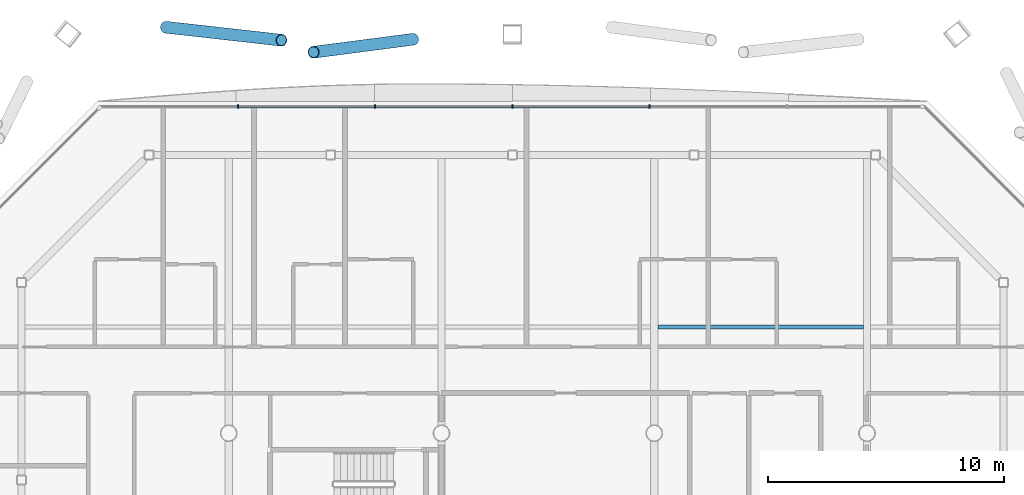
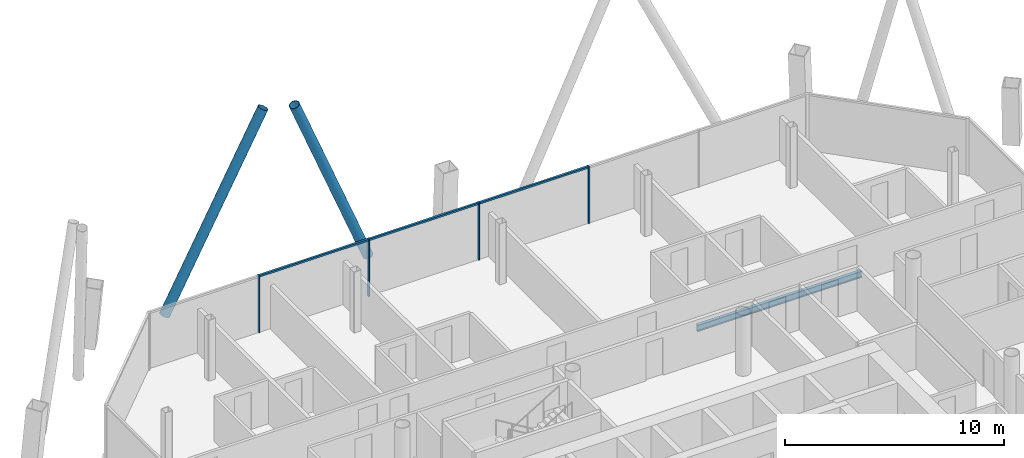
# One storey, part 11 of 23: 9 members, 1 beam, 1 element without a shape of its own.
"""IFC4 building model written with IfcOpenShell, lengths in metres."""

from ifc_helpers import new_model, si_unit, direction, frame, origin, origin_2d, place, context, subcontext, project, spatial, rectangle, hollow_circle, i_section, extrude, material, material_profile, profile_set, type_object, element, aggregate, save


model = new_model("IFC4")

# Units and contexts
model_context = context("Model", 3, precision=1e-05, world=origin(), true_north=direction((0.0, 1.0)))
body_context = subcontext(model_context, "Body", "Model", "MODEL_VIEW")
ifc_project = project(units=[si_unit("LENGTHUNIT", "METRE"), si_unit("AREAUNIT", "SQUARE_METRE"), si_unit("VOLUMEUNIT", "CUBIC_METRE"), si_unit("PLANEANGLEUNIT", "RADIAN"), si_unit("MASSUNIT", "GRAM", prefix="KILO")], contexts=[model_context])

# Site, building, storey
site_placement = place(None, origin())
site = spatial("IfcSite", under=ifc_project, at=site_placement, CompositionType="ELEMENT")
building_placement = place(site_placement, origin())
building = spatial("IfcBuilding", under=site, at=building_placement, Name="Tskaro Facet Tower", CompositionType="ELEMENT")
storey_placement = place(building_placement, frame((0.0, 0.0, 131.699951171875)))
storey = spatial("IfcBuildingStorey", under=building, at=storey_placement, Name="L31", CompositionType="ELEMENT", Elevation=131.699951171875)

# Members
ifc_material_1 = material(Name="Steel S355J2H", Category="steel")
ifc_material_profile_1 = material_profile(ifc_material_1, hollow_circle(Radius=0.25390625, WallThickness=0.02490234375, at=origin_2d()), Name="CHS 508x25")
ifc_profile_set_1 = profile_set([ifc_material_profile_1], Name="Steel S355J2H")
member_type_1 = type_object("IfcMemberType", Name="CHS 508x25 brace", PredefinedType="BRACE", material=ifc_profile_set_1)
member_1_placement = place(storey_placement, frame((-1.204833984375, 25.665283203125, 0.0), z_axis=(-0.380638034697, -0.049596548012, 0.92339312807), x_axis=(0.12920625994, -0.991617740055, 0.0)))
element("IfcMember", 1, at=member_1_placement, inside=storey, type_object=member_type_1, Name="CHS 508x25 XB08A/3", PredefinedType="BRACE", context=body_context, shape_type="SweptSolid", body=[
    extrude(hollow_circle(Radius=0.25390625, WallThickness=0.02490234375, at=origin_2d()), origin(), (0.0, 0.0, 1.0), 11.046142578125),
])
member_2_placement = place(storey_placement, frame((-11.653564453125, 26.17333984375, 0.0), z_axis=(0.431401762637, -0.048386342548, 0.900861410567), x_axis=(0.111461838164, 0.993768714859, 0.0)))
element("IfcMember", 2, at=member_2_placement, inside=storey, type_object=member_type_1, Name="CHS 508x25 XB08B/3", PredefinedType="BRACE", context=body_context, shape_type="SweptSolid", body=[
    extrude(hollow_circle(Radius=0.25390625, WallThickness=0.02490234375, at=origin_2d()), origin(), (0.0, 0.0, 1.0), 11.322509765625),
])

# Curtain wall, members
ifc_material_2 = material(Name="Bronze anodised aluminium 6063-T6", Category="aluminium")
curtain_wall_type = type_object("IfcCurtainWallType", Name="Bronze hotel curtain wall (FW2)", PredefinedType="NOTDEFINED", material=ifc_material_2)
curtain_wall_placement = place(storey_placement, origin())
curtain_wall = element("IfcCurtainWall", 3, at=curtain_wall_placement, inside=storey, type_object=curtain_wall_type, Name="FW2 north facet L31", PredefinedType="NOTDEFINED")
ifc_material_profile_2 = material_profile(ifc_material_2, rectangle(XDim=0.06005859375, YDim=0.14990234375, at=origin_2d()), Name="Mullion 60x150")
ifc_profile_set_2 = profile_set([ifc_material_profile_2], Name="Bronze anodised aluminium 6063-T6")
member_type_2 = type_object("IfcMemberType", Name="FW2 bronze mullion 60x150", PredefinedType="MULLION", material=ifc_profile_set_2)
member_3_placement = place(storey_placement, frame((8.807373046875, 22.820068359375, 0.0), z_axis=(0.0, 0.0, 1.0), x_axis=(-1.0, 0.0, 0.0)))
member_3 = element("IfcMember", 4, at=member_3_placement, type_object=member_type_2, Name="FW2 north mullion 2", PredefinedType="MULLION", context=body_context, shape_type="SweptSolid", body=[
    extrude(rectangle(XDim=0.06005859375, YDim=0.14990234375, at=origin_2d()), origin(), (0.0, 0.0, 1.0), 3.199951171875),
])
member_4_placement = place(storey_placement, frame((3.0, 22.820068359375, 0.0), z_axis=(0.0, 0.0, 1.0), x_axis=(-1.0, 0.0, 0.0)))
member_4 = element("IfcMember", 5, at=member_4_placement, type_object=member_type_2, Name="FW2 north mullion 3", PredefinedType="MULLION", context=body_context, shape_type="SweptSolid", body=[
    extrude(rectangle(XDim=0.06005859375, YDim=0.14990234375, at=origin_2d()), origin(), (0.0, 0.0, 1.0), 3.199951171875),
])
member_5_placement = place(storey_placement, frame((-2.807373046875, 22.820068359375, 0.0), z_axis=(0.0, 0.0, 1.0), x_axis=(-1.0, 0.0, 0.0)))
member_5 = element("IfcMember", 6, at=member_5_placement, type_object=member_type_2, Name="FW2 north mullion 4", PredefinedType="MULLION", context=body_context, shape_type="SweptSolid", body=[
    extrude(rectangle(XDim=0.06005859375, YDim=0.14990234375, at=origin_2d()), origin(), (0.0, 0.0, 1.0), 3.199951171875),
])
member_6_placement = place(storey_placement, frame((-8.61474609375, 22.820068359375, 0.0), z_axis=(0.0, 0.0, 1.0), x_axis=(-1.0, 0.0, 0.0)))
member_6 = element("IfcMember", 7, at=member_6_placement, type_object=member_type_2, Name="FW2 north mullion 5", PredefinedType="MULLION", context=body_context, shape_type="SweptSolid", body=[
    extrude(rectangle(XDim=0.06005859375, YDim=0.14990234375, at=origin_2d()), origin(), (0.0, 0.0, 1.0), 3.199951171875),
])
ifc_material_profile_3 = material_profile(ifc_material_2, rectangle(XDim=0.110107421875, YDim=0.10009765625, at=origin_2d()), Name="Transom 110x100")
ifc_profile_set_3 = profile_set([ifc_material_profile_3], Name="Bronze anodised aluminium 6063-T6")
member_type_3 = type_object("IfcMemberType", Name="FW2 bronze transom 110x100", PredefinedType="USERDEFINED", material=ifc_profile_set_3)
member_7_placement = place(storey_placement, frame((8.77734375, 22.820068359375, 3.150146484375), z_axis=(-1.0, 0.0, 0.0), x_axis=(0.0, -1.0, 0.0)))
member_7 = element("IfcMember", 8, at=member_7_placement, type_object=member_type_3, Name="FW2 north transom 3.1", ObjectType="TRANSOM", PredefinedType="USERDEFINED", context=body_context, shape_type="SweptSolid", body=[
    extrude(rectangle(XDim=0.110107421875, YDim=0.10009765625, at=origin_2d()), origin(), (0.0, 0.0, 1.0), 5.747314453125),
])
member_8_placement = place(storey_placement, frame((2.969970703125, 22.820068359375, 3.150146484375), z_axis=(-1.0, 0.0, 0.0), x_axis=(0.0, -1.0, 0.0)))
member_8 = element("IfcMember", 9, at=member_8_placement, type_object=member_type_3, Name="FW2 north transom 4.1", ObjectType="TRANSOM", PredefinedType="USERDEFINED", context=body_context, shape_type="SweptSolid", body=[
    extrude(rectangle(XDim=0.110107421875, YDim=0.10009765625, at=origin_2d()), origin(), (0.0, 0.0, 1.0), 5.747314453125),
])
member_9_placement = place(storey_placement, frame((-2.83740234375, 22.820068359375, 3.150146484375), z_axis=(-1.0, 0.0, 0.0), x_axis=(0.0, -1.0, 0.0)))
member_9 = element("IfcMember", 10, at=member_9_placement, type_object=member_type_3, Name="FW2 north transom 5.1", ObjectType="TRANSOM", PredefinedType="USERDEFINED", context=body_context, shape_type="SweptSolid", body=[
    extrude(rectangle(XDim=0.110107421875, YDim=0.10009765625, at=origin_2d()), origin(), (0.0, 0.0, 1.0), 5.747314453125),
])
aggregate(curtain_wall, [member_3, member_4, member_5, member_6, member_7, member_8, member_9])

# Beam
ifc_material_3 = material(Name="Steel S355J2", Category="steel")
ifc_material_profile_4 = material_profile(ifc_material_3, i_section(OverallWidth=0.169921875, OverallDepth=0.360107421875, WebThickness=0.008056640625, FlangeThickness=0.0126953125, FilletRadius=0.01806640625, at=origin_2d()), Name="IPE 360")
ifc_profile_set_4 = profile_set([ifc_material_profile_4], Name="Steel S355J2")
beam_type = type_object("IfcBeamType", Name="IPE 360 secondary beam", PredefinedType="BEAM", material=ifc_profile_set_4)
beam_placement = place(storey_placement, frame((9.14990234375, 13.5, -0.320068359375), z_axis=(1.0, 0.0, 0.0), x_axis=(0.0, 1.0, 0.0)))
element("IfcBeam", 11, at=beam_placement, inside=storey, type_object=beam_type, Name="IPE 360 SB5a-4-3", PredefinedType="BEAM", context=body_context, shape_type="SweptSolid", body=[
    extrude(i_section(OverallWidth=0.169921875, OverallDepth=0.360107421875, WebThickness=0.008056640625, FlangeThickness=0.0126953125, FilletRadius=0.01806640625, at=origin_2d()), origin(), (0.0, 0.0, 1.0), 8.7001953125),
])

save(model, "model.ifc")
